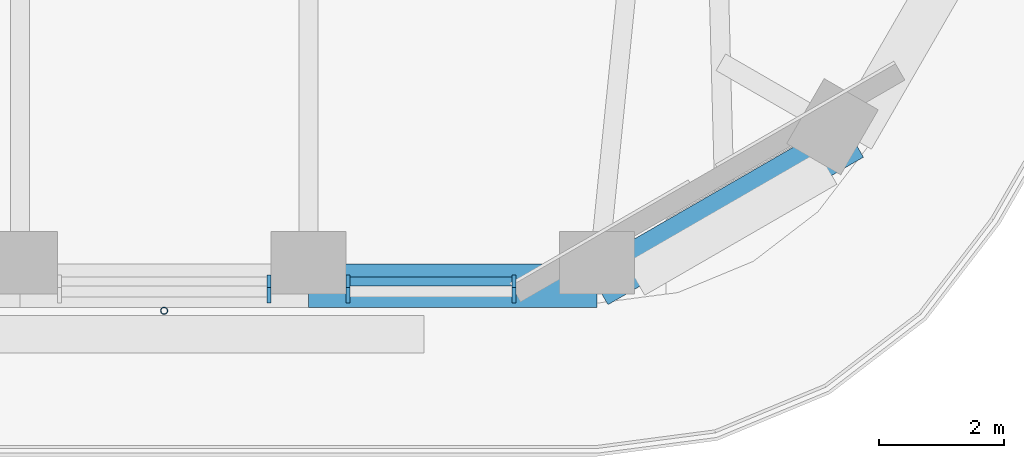
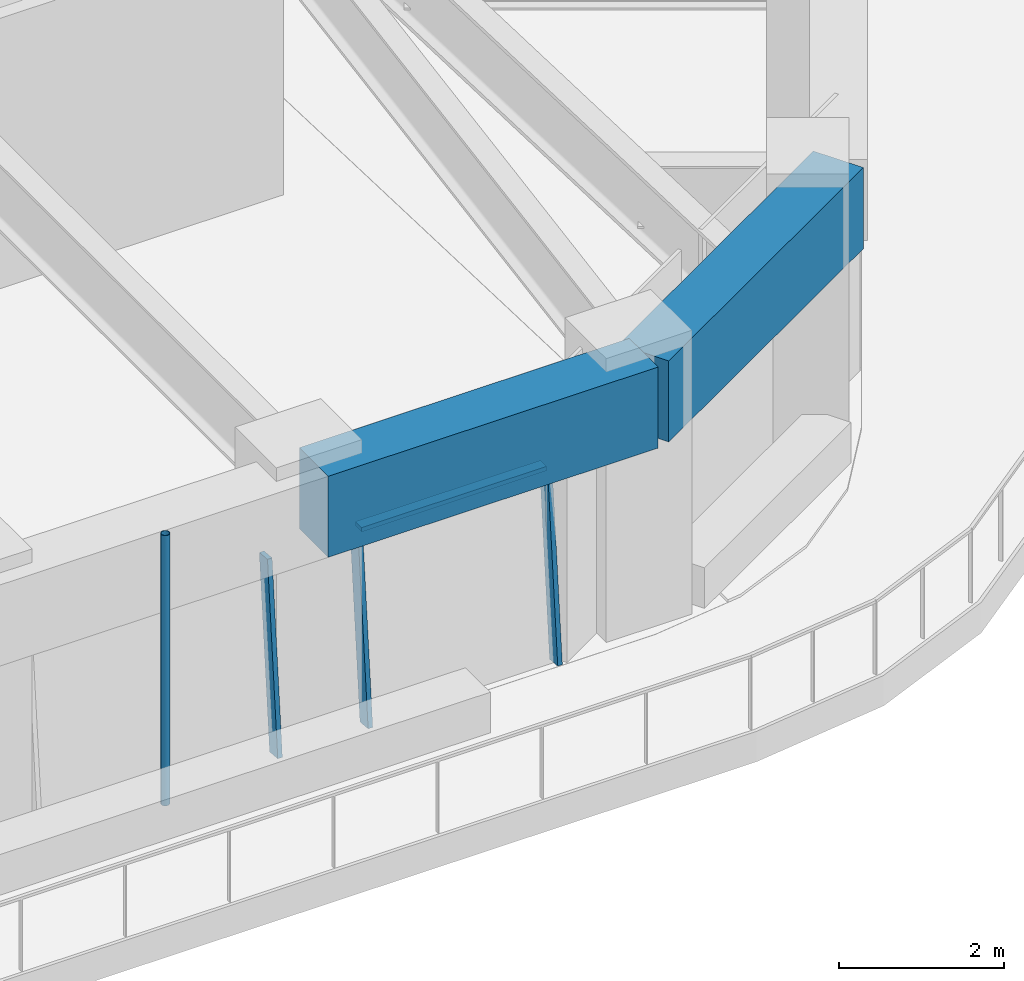
# One storey, part 4 of 20: 5 members, 2 beams, 2 elements without a shape of their own.
"""IFC4 building model written with IfcOpenShell, lengths in metres."""

from ifc_helpers import new_model, si_unit, direction, frame, origin, origin_2d, place, context, subcontext, project, spatial, rectangle, hollow_circle, extrude, material, material_profile, profile_set, type_object, element, aggregate, save


model = new_model("IFC4")

# Units and contexts
model_context = context("Model", 3, precision=1e-05, world=origin(), true_north=direction((0.0, 1.0)))
body_context = subcontext(model_context, "Body", "Model", "MODEL_VIEW")
ifc_project = project(units=[si_unit("LENGTHUNIT", "METRE"), si_unit("AREAUNIT", "SQUARE_METRE"), si_unit("VOLUMEUNIT", "CUBIC_METRE"), si_unit("PLANEANGLEUNIT", "RADIAN"), si_unit("MASSUNIT", "GRAM", prefix="KILO")], contexts=[model_context])

# Site, building, storey
site_placement = place(None, origin())
site = spatial("IfcSite", under=ifc_project, at=site_placement, CompositionType="ELEMENT")
building_placement = place(site_placement, origin())
building = spatial("IfcBuilding", under=site, at=building_placement, Name="Tarfa Lantern Tower", CompositionType="ELEMENT")
storey_placement = place(building_placement, frame((0.0, 0.0, 261.699951171875)))
storey = spatial("IfcBuildingStorey", under=building, at=storey_placement, Name="L59", CompositionType="ELEMENT", Elevation=261.699951171875)

# Curtain wall, member
ifc_material_1 = material(Name="Aluminium framed curtain wall", Category="aluminium")
curtain_wall_type = type_object("IfcCurtainWallType", Name="CW3 CANTED GLAZING HIGH ZONE 2800", PredefinedType="USERDEFINED", material=ifc_material_1)
curtain_wall_1_placement = place(storey_placement, origin())
curtain_wall_1 = element("IfcCurtainWall", 1, at=curtain_wall_1_placement, inside=storey, type_object=curtain_wall_type, Name="CW3 S L59", ObjectType="CURTAIN WALL", PredefinedType="USERDEFINED")
ifc_material_2 = material(Name="Aluminium mullion", Category="aluminium")
ifc_material_profile_1 = material_profile(ifc_material_2, rectangle(XDim=0.06494140625, YDim=0.199951171875, at=origin_2d()), Name="AL MULLION 65x200")
ifc_profile_set_1 = profile_set([ifc_material_profile_1], Name="Aluminium mullion")
member_type_1 = type_object("IfcMemberType", Name="CWM1 MULLION 65x200", PredefinedType="MULLION", material=ifc_profile_set_1)
member_1_placement = place(storey_placement, frame((8.605224609375, -28.89990234375, 0.0), z_axis=(0.0, 0.088930399417, 0.996037842685), x_axis=(-1.0, 0.0, 0.0)))
member_1 = element("IfcMember", 2, at=member_1_placement, type_object=member_type_1, Name="CW3 mullion 2", PredefinedType="MULLION", context=body_context, shape_type="SweptSolid", body=[
    extrude(rectangle(XDim=0.06494140625, YDim=0.199951171875, at=origin_2d()), origin(), (0.0, 0.0, 1.0), 2.811279296875),
])
aggregate(curtain_wall_1, [member_1])

# Curtain wall, members
curtain_wall_2_placement = place(storey_placement, origin())
curtain_wall_2 = element("IfcCurtainWall", 3, at=curtain_wall_2_placement, inside=storey, type_object=curtain_wall_type, Name="CW3 S L59", ObjectType="CURTAIN WALL", PredefinedType="USERDEFINED")
member_2_placement = place(storey_placement, frame((9.8701171875, -28.89990234375, 0.0), z_axis=(0.0, 0.088930399417, 0.996037842685), x_axis=(-1.0, 0.0, 0.0)))
member_2 = element("IfcMember", 4, at=member_2_placement, type_object=member_type_1, Name="CW3 mullion 1", PredefinedType="MULLION", context=body_context, shape_type="SweptSolid", body=[
    extrude(rectangle(XDim=0.06494140625, YDim=0.199951171875, at=origin_2d()), origin(), (0.0, 0.0, 1.0), 2.811279296875),
])
member_3_placement = place(storey_placement, frame((12.52392578125, -28.89990234375, 0.0), z_axis=(0.0, 0.088930399417, 0.996037842685), x_axis=(-1.0, 0.0, 0.0)))
member_3 = element("IfcMember", 5, at=member_3_placement, type_object=member_type_1, Name="CW3 mullion 2", PredefinedType="MULLION", context=body_context, shape_type="SweptSolid", body=[
    extrude(rectangle(XDim=0.06494140625, YDim=0.199951171875, at=origin_2d()), origin(), (0.0, 0.0, 1.0), 2.811279296875),
])
ifc_material_3 = material(Name="Aluminium transom", Category="aluminium")
ifc_material_profile_2 = material_profile(ifc_material_3, rectangle(XDim=0.14990234375, YDim=0.06494140625, at=origin_2d()), Name="AL TRANSOM 150x65")
ifc_profile_set_2 = profile_set([ifc_material_profile_2], Name="Aluminium transom")
member_type_2 = type_object("IfcMemberType", Name="CWT1 TRANSOM 150x65", PredefinedType="USERDEFINED", material=ifc_profile_set_2)
member_4_placement = place(storey_placement, frame((9.902587890625, -28.65283203125, 2.767578125), z_axis=(1.0, 0.0, 0.0), x_axis=(0.0, 1.0, 0.0)))
member_4 = element("IfcMember", 6, at=member_4_placement, type_object=member_type_2, Name="CW3 transom 1.2", ObjectType="TRANSOM", PredefinedType="USERDEFINED", context=body_context, shape_type="SweptSolid", body=[
    extrude(rectangle(XDim=0.14990234375, YDim=0.06494140625, at=origin_2d()), origin(), (0.0, 0.0, 1.0), 2.5888671875),
])
aggregate(curtain_wall_2, [member_2, member_3, member_4])

# Beams
ifc_material_4 = material(Name="Concrete C80/95", Category="concrete")
ifc_material_profile_3 = material_profile(ifc_material_4, rectangle(XDim=0.699951171875, YDim=1.199951171875, at=origin_2d()), Name="RC 700x1200")
ifc_profile_set_3 = profile_set([ifc_material_profile_3], Name="Concrete C80/95")
beam_type = type_object("IfcBeamType", Name="EB3 RC 700x1200", PredefinedType="SPANDREL", material=ifc_profile_set_3)
beam_1_placement = place(storey_placement, frame((9.237548828125, -28.719970703125, 3.400146484375), z_axis=(1.0, 0.0, 0.0), x_axis=(0.0, 1.0, 0.0)))
element("IfcBeam", 7, at=beam_1_placement, inside=storey, type_object=beam_type, Name="Edge beam S5", PredefinedType="SPANDREL", context=body_context, shape_type="SweptSolid", body=[
    extrude(rectangle(XDim=0.699951171875, YDim=1.199951171875, at=origin_2d()), origin(), (0.0, 0.0, 1.0), 4.618896484375),
])
beam_2_placement = place(storey_placement, frame((13.8564453125, -28.719970703125, 3.400146484375), z_axis=(0.866038294681, 0.499977671647, 0.0), x_axis=(-0.499977671647, 0.866038294681, 0.0)))
element("IfcBeam", 8, at=beam_2_placement, inside=storey, type_object=beam_type, Name="Edge beam S6", PredefinedType="SPANDREL", context=body_context, shape_type="SweptSolid", body=[
    extrude(rectangle(XDim=0.699951171875, YDim=1.199951171875, at=origin_2d()), origin(), (0.0, 0.0, 1.0), 4.719970703125),
])

# Member
ifc_material_5 = material(Name="Steel S355", Category="steel")
ifc_material_profile_4 = material_profile(ifc_material_5, hollow_circle(Radius=0.05712890625, WallThickness=0.00634765625, at=origin_2d()), Name="CHS114.3x6.3")
ifc_profile_set_4 = profile_set([ifc_material_profile_4], Name="Steel S355")
member_type_3 = type_object("IfcMemberType", Name="TR1 GREEN WALL TRELLIS CHS114.3x6.3", PredefinedType="USERDEFINED", material=ifc_profile_set_4)
member_5_placement = place(storey_placement, frame((6.92822265625, -29.1201171875, 0.0), z_axis=(0.0, 0.0, 1.0), x_axis=(1.0, 0.0, 0.0)))
element("IfcMember", 9, at=member_5_placement, inside=storey, type_object=member_type_3, Name="Trellis post S 2", ObjectType="TRELLIS", PredefinedType="USERDEFINED", context=body_context, shape_type="SweptSolid", body=[
    extrude(hollow_circle(Radius=0.05712890625, WallThickness=0.00634765625, at=origin_2d()), origin(), (0.0, 0.0, 1.0), 4.0),
])

save(model, "model.ifc")
